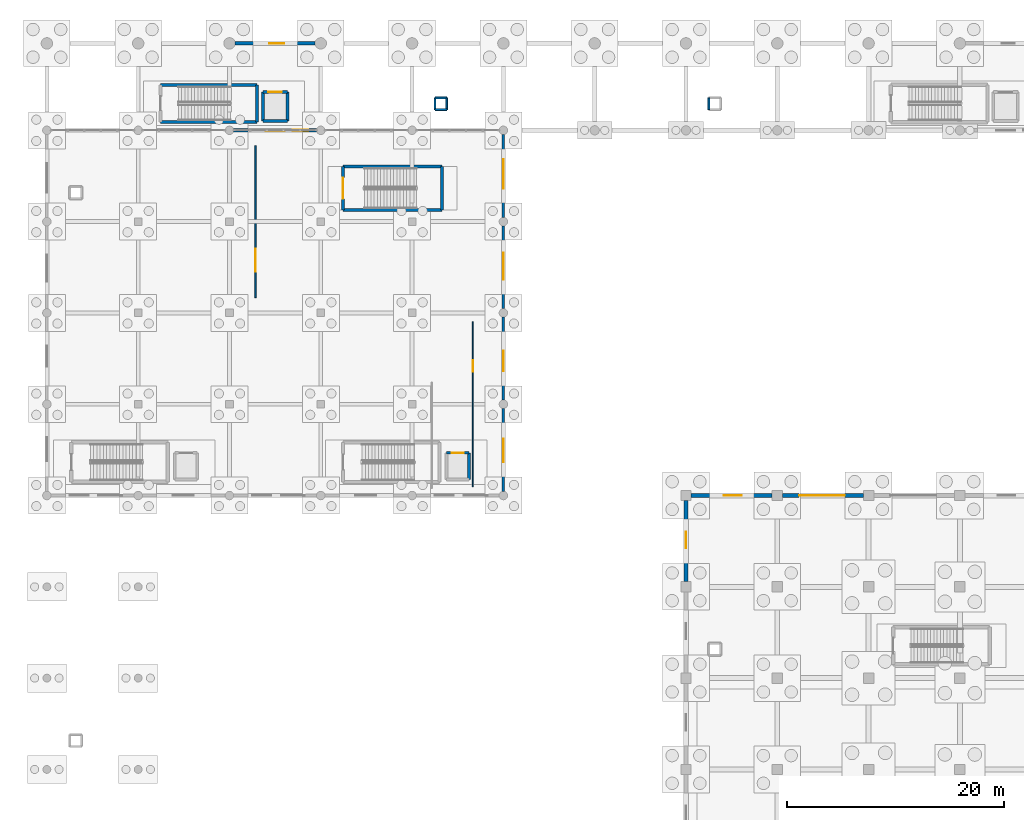
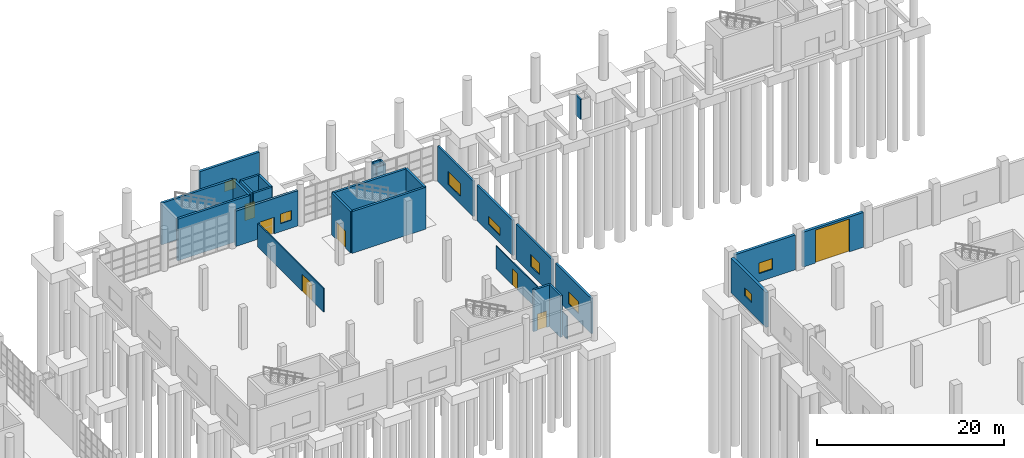
# One storey, part 57 of 83: 29 walls, 8 windows, 7 doors, 15 openings.
"""IFC4 building model written with IfcOpenShell, lengths in metres."""

import ifcopenshell
import ifcopenshell.guid

model = None  # the IFC model being written
_history = None  # IfcOwnerHistory: only IFC2X3 demands one
_inside = {}  # id of a spatial element -> (the spatial element, [elements in it])
_under = {}  # id of a project, library or spatial element -> (it, [spatial elements below it])
_declared = {}  # id of a project -> (the project, [libraries it declares])
_typed = {}  # id of a type object -> (the type object, [elements of that type])
_made_of = {}  # id of a material, layer set ... -> (it, [elements and type objects made of it])


def new_model(schema):
    """Start an empty IFC model of exactly this schema.

    Asked for "IFC4X3", IfcOpenShell would pick the latest addendum, in which some entities
    have other attributes; the version numbers below select the first issue.
    IFC2X3 requires an IfcOwnerHistory on every rooted entity: one is made here for all.
    """
    global model, _history
    if schema == "IFC4X3":
        model = ifcopenshell.file(schema_version=(4, 3, 0, 0))
    else:
        model = ifcopenshell.file(schema=schema)
    _inside.clear()
    _under.clear()
    _declared.clear()
    _typed.clear()
    _made_of.clear()
    _history = None
    if model.schema == "IFC2X3":
        org = make("IfcOrganization", Name="unknown")
        user = make(
            "IfcPersonAndOrganization",
            ThePerson=make("IfcPerson", FamilyName="unknown"),
            TheOrganization=org,
        )
        app = make(
            "IfcApplication",
            ApplicationDeveloper=org,
            Version="unknown",
            ApplicationFullName="unknown",
            ApplicationIdentifier="unknown",
        )
        _history = make(
            "IfcOwnerHistory",
            OwningUser=user,
            OwningApplication=app,
            ChangeAction="ADDED",
            CreationDate=0,
        )
    return model


def make(cls, **values):
    """One entity of the class cls with the attributes given. An attribute that is None is left unset."""
    return model.create_entity(
        cls, **{name: value for name, value in values.items() if value is not None}
    )


def rooted(cls, **values):
    """An entity with a GlobalId (a new one), such as an element, a storey or a relation."""
    return make(cls, GlobalId=ifcopenshell.guid.new(), OwnerHistory=_history, **values)


def si_unit(unit_type, name, prefix=None):
    """IfcSIUnit, for example si_unit("LENGTHUNIT", "METRE", prefix="MILLI")."""
    return make("IfcSIUnit", UnitType=unit_type, Prefix=prefix, Name=name)


def assignment(units):
    """IfcUnitAssignment: the units of a project."""
    return None if units is None else make("IfcUnitAssignment", Units=units)


def point(xyz):
    """IfcCartesianPoint."""
    return None if xyz is None else make("IfcCartesianPoint", Coordinates=xyz)


def direction(xyz):
    """IfcDirection."""
    return None if xyz is None else make("IfcDirection", DirectionRatios=xyz)


def frame(location, z_axis=None, x_axis=None):
    """IfcAxis2Placement3D, a coordinate frame: its origin and axes. An axis left out is left unset."""
    return make(
        "IfcAxis2Placement3D",
        Location=point(location),
        Axis=direction(z_axis),
        RefDirection=direction(x_axis),
    )


def frame_2d(location, x_axis=None):
    """IfcAxis2Placement2D, a coordinate frame in the plane: its origin and x axis."""
    return make(
        "IfcAxis2Placement2D", Location=point(location), RefDirection=direction(x_axis)
    )


def origin():
    """The frame at (0, 0, 0) with its axes left unset."""
    return frame((0.0, 0.0, 0.0))


def place(relative_to, where):
    """IfcLocalPlacement: puts the frame where relative to a parent placement (None: the world)."""
    return make(
        "IfcLocalPlacement", PlacementRelTo=relative_to, RelativePlacement=where
    )


def context(
    kind, dimensions, precision=None, world=None, true_north=None, identifier=None
):
    """IfcGeometricRepresentationContext, for example the 3D "Model" context."""
    return make(
        "IfcGeometricRepresentationContext",
        ContextIdentifier=identifier,
        ContextType=kind,
        CoordinateSpaceDimension=dimensions,
        Precision=precision,
        WorldCoordinateSystem=world,
        TrueNorth=true_north,
    )


def subcontext(parent, identifier, kind, view, scale=None):
    """IfcGeometricRepresentationSubContext, for example "Body" below "Model"."""
    return make(
        "IfcGeometricRepresentationSubContext",
        ContextIdentifier=identifier,
        ContextType=kind,
        ParentContext=parent,
        TargetScale=scale,
        TargetView=view,
    )


def project(units=None, contexts=None):
    """IfcProject with its units and contexts."""
    return rooted(
        "IfcProject",
        Name="project",
        RepresentationContexts=contexts,
        UnitsInContext=assignment(units),
    )


def spatial(cls, under=None, at=None, **own):
    """A site, building, storey or space (cls), placed at a placement, below another one or the project."""
    s = rooted(cls, ObjectPlacement=at, **own)
    if under is not None:
        _under.setdefault(under.id(), (under, []))[1].append(s)
    return s


def profile(cls, at=None, kind="AREA", **sizes):
    """A parametric profile (cls). Its sizes go by their IFC names, for example OverallWidth=200.0."""
    return make(cls, ProfileType=kind, Position=at, **sizes)


def rectangle(**sizes):
    """IfcRectangleProfileDef."""
    return profile("IfcRectangleProfileDef", **sizes)


def extrude(swept, where, along, depth):
    """IfcExtrudedAreaSolid: the profile swept, set in the frame where, extruded along a direction by depth."""
    return make(
        "IfcExtrudedAreaSolid",
        SweptArea=swept,
        Position=where,
        ExtrudedDirection=direction(along),
        Depth=depth,
    )


def shape(context_of_items, identifier, shape_type, items):
    """IfcShapeRepresentation: the items that make up one representation, for example the "Body"."""
    return make(
        "IfcShapeRepresentation",
        ContextOfItems=context_of_items,
        RepresentationIdentifier=identifier,
        RepresentationType=shape_type,
        Items=items,
    )


def material(Name=None, Category=None):
    """IfcMaterial."""
    return make("IfcMaterial", Name=Name, Category=Category)


def layer(
    of_material, thickness, ventilated=None, Name=None, Category=None, Priority=None
):
    """IfcMaterialLayer: one layer of a wall or slab, of a material (None: an air gap)."""
    return make(
        "IfcMaterialLayer",
        Material=of_material,
        LayerThickness=thickness,
        IsVentilated=ventilated,
        Name=Name,
        Category=Category,
        Priority=Priority,
    )


def layer_set(layers, Name=None):
    """IfcMaterialLayerSet."""
    return make("IfcMaterialLayerSet", MaterialLayers=layers, LayerSetName=Name)


def made_of(thing, what):
    """Note that an element or type object is made of a material, layer set ...; save() writes the relation."""
    if what is not None:
        _made_of.setdefault(what.id(), (what, []))[1].append(thing)
    return thing


def type_object(cls, material=None, **own):
    """A type object (cls), such as IfcWallType, which elements share."""
    return made_of(rooted(cls, **own), material)


def element(
    cls,
    number,
    at=None,
    inside=None,
    cuts=None,
    type_object=None,
    material=None,
    context=None,
    identifier="Body",
    shape_type=None,
    held_by="IfcProductDefinitionShape",
    body=None,
    shapes=None,
    **own,
):
    """One element of the class cls, such as IfcWall. Its Tag is "e" and its number.

    at: its placement. inside: the storey or other place that contains it. cuts: it is an
    opening in that element (IfcRelVoidsElement). A single representation is given by context,
    identifier, shape_type and body (its items); several are given by shapes. held_by: the class
    of the entity that holds the representations. save() writes the other relations.
    """
    e = rooted(cls, Tag="e%d" % number, ObjectPlacement=at, **own)
    if body is not None:
        shapes = [shape(context, identifier, shape_type, body)]
    if shapes is not None:
        e.Representation = make(held_by, Representations=shapes)
    if inside is not None:
        _inside.setdefault(inside.id(), (inside, []))[1].append(e)
    if cuts is not None:
        rooted(
            "IfcRelVoidsElement", RelatingBuildingElement=cuts, RelatedOpeningElement=e
        )
    if type_object is not None:
        _typed.setdefault(type_object.id(), (type_object, []))[1].append(e)
    return made_of(e, material)


def fill(opening, filler):
    """IfcRelFillsElement: the door or window that sits in an opening."""
    return rooted(
        "IfcRelFillsElement",
        RelatingOpeningElement=opening,
        RelatedBuildingElement=filler,
    )


def aggregate(whole, parts):
    """IfcRelAggregates: a whole, such as a stair, and the parts it consists of."""
    return rooted("IfcRelAggregates", RelatingObject=whole, RelatedObjects=parts)


def save(model, path):
    """Write the relations noted so far, then the file.

    IfcRelAggregates (storeys below a building ...), IfcRelContainedInSpatialStructure (elements
    in a storey), IfcRelDefinesByType, IfcRelAssociatesMaterial and IfcRelDeclares: one each for
    every whole, place, type object, material and project.
    """
    for whole, parts in _under.values():
        aggregate(whole, parts)
    for where, things in _inside.values():
        rooted(
            "IfcRelContainedInSpatialStructure",
            RelatedElements=things,
            RelatingStructure=where,
        )
    for kind, things in _typed.values():
        rooted("IfcRelDefinesByType", RelatedObjects=things, RelatingType=kind)
    for what, things in _made_of.values():
        rooted("IfcRelAssociatesMaterial", RelatedObjects=things, RelatingMaterial=what)
    for by, libraries in _declared.values():
        rooted("IfcRelDeclares", RelatingContext=by, RelatedDefinitions=libraries)
    model.write(path)


model = new_model("IFC4")

# Units and contexts
model_context = context("Model", 3, precision=1e-05, world=origin(), true_north=direction((0.0, 1.0)))
body_context = subcontext(model_context, "Body", "Model", "MODEL_VIEW")
ifc_project = project(units=[si_unit("LENGTHUNIT", "METRE"), si_unit("AREAUNIT", "SQUARE_METRE"), si_unit("VOLUMEUNIT", "CUBIC_METRE"), si_unit("PLANEANGLEUNIT", "RADIAN"), si_unit("MASSUNIT", "GRAM", prefix="KILO"), si_unit("THERMODYNAMICTEMPERATUREUNIT", "KELVIN"), si_unit("POWERUNIT", "WATT")], contexts=[model_context])

# Site, building, storey
site_placement = place(None, origin())
site = spatial("IfcSite", under=ifc_project, at=site_placement, CompositionType="ELEMENT")
building_placement = place(site_placement, origin())
building = spatial("IfcBuilding", under=site, at=building_placement, Name="Mavoryth Pier Ferry Terminal", CompositionType="ELEMENT")
storey_placement = place(building_placement, origin())
storey = spatial("IfcBuildingStorey", under=building, at=storey_placement, Name="L00", CompositionType="ELEMENT", Elevation=0.0)

# Wall
ifc_material_1 = material(Name="Concrete C35/45", Category="concrete")
ifc_layer_1 = layer(ifc_material_1, 0.260009765625, Name="Concrete C35/45", Category="concrete")
ifc_layer_set_1 = layer_set([ifc_layer_1], Name="Concrete C35/45 - CoreWall-LiftShaft-RC260")
wall_type_1 = type_object("IfcWallType", Name="CoreWall-LiftShaft-RC260", PredefinedType="SHEAR", material=ifc_layer_set_1)
wall_1_placement = place(storey_placement, frame((89.22998046875, 73.8701171875, 0.0), z_axis=(0.0, 0.0, 1.0), x_axis=(0.0, 1.0, 0.0)))
element("IfcWall", 1, at=wall_1_placement, inside=storey, type_object=wall_type_1, Name="Interior Wall IW-L00-0090", PredefinedType="SHEAR", context=body_context, shape_type="SweptSolid", body=[
    extrude(rectangle(XDim=2.4599609375, YDim=0.260009765625, at=frame_2d((1.22998046875, 0.0))), origin(), (0.0, 0.0, 1.0), 5.43994140625),
])

# Wall, opening, door
wall_2_placement = place(storey_placement, frame((87.169921875, 76.330078125, 0.0), z_axis=(0.0, 0.0, 1.0), x_axis=(1.0, 0.0, 0.0)))
wall_2 = element("IfcWall", 2, at=wall_2_placement, inside=storey, type_object=wall_type_1, Name="Interior Wall IW-L00-0092", PredefinedType="SHEAR", context=body_context, shape_type="SweptSolid", body=[
    extrude(rectangle(XDim=2.06005859375, YDim=0.260009765625, at=frame_2d((1.030029296875, 0.0))), origin(), (0.0, 0.0, 1.0), 5.43994140625),
])
opening_1_placement = place(wall_2_placement, frame((0.4599609375, 0.0, 0.0)))
opening_1 = element("IfcOpeningElement", 3, at=opening_1_placement, cuts=wall_2, Name="Opening LD02", PredefinedType="OPENING", context=body_context, shape_type="SweptSolid", body=[
    extrude(rectangle(XDim=1.139892578125, YDim=2.139892578125, at=frame_2d((0.56982421875, 1.06982421875))), frame((0.0, 0.139892578125, 0.0), z_axis=(0.0, -1.0, 0.0), x_axis=(1.0, 0.0, 0.0)), (0.0, 0.0, 1.0), 0.280029296875),
])
ifc_material_2 = material(Name="Brushed Stainless Steel Lift Landing Door", Category="steel")
door_type_1 = type_object("IfcDoorType", Name="Door-LiftLanding-1140x2140", OperationType="NOTDEFINED", PredefinedType="DOOR", material=ifc_material_2)
door_1_placement = place(opening_1_placement, origin())
door_1 = element("IfcDoor", 4, at=door_1_placement, inside=storey, type_object=door_type_1, Name="Lift LF05 Landing Door L00", OperationType="DOUBLE_DOOR_SLIDING", OverallHeight=2.139892578125, OverallWidth=1.139892578125, PredefinedType="DOOR", context=body_context, shape_type="SweptSolid", body=[
    extrude(rectangle(XDim=1.139892578125, YDim=2.139892578125, at=frame_2d((0.56982421875, 1.06982421875))), frame((0.0, 0.02490234375, 0.0), z_axis=(0.0, -1.0, 0.0), x_axis=(1.0, 0.0, 0.0)), (0.0, 0.0, 1.0), 0.050048828125),
])
fill(opening_1, door_1)

# Walls
wall_3_placement = place(storey_placement, frame((70.27001953125, 106.8701171875, 0.0), z_axis=(0.0, 0.0, 1.0), x_axis=(1.0, 0.0, 0.0)))
element("IfcWall", 5, at=wall_3_placement, inside=storey, type_object=wall_type_1, Name="Interior Wall IW-L00-0109", PredefinedType="SHEAR", context=body_context, shape_type="SweptSolid", body=[
    extrude(rectangle(XDim=2.260009765625, YDim=0.260009765625, at=frame_2d((1.1298828125, 0.0))), origin(), (0.0, 0.0, 1.0), 5.43994140625),
])
for number, where, z_axis, x_axis, name in (
    (6, (72.530029296875, 106.8701171875, 0.0), (0.0, 0.0, 1.0), (0.0, 1.0, 0.0), "Interior Wall IW-L00-0110"),
    (7, (70.27001953125, 109.530029296875, 0.0), (0.0, 0.0, 1.0), (0.0, -1.0, 0.0), "Interior Wall IW-L00-0111"),
):
    element("IfcWall", number, at=place(storey_placement, frame(where, z_axis=z_axis, x_axis=x_axis)), inside=storey, type_object=wall_type_1, Name=name, PredefinedType="SHEAR", context=body_context, shape_type="SweptSolid", body=[
        extrude(rectangle(XDim=2.659912109375, YDim=0.260009765625, at=frame_2d((1.330078125, 0.0))), origin(), (0.0, 0.0, 1.0), 5.43994140625),
    ])

# Wall, opening, door
wall_4_placement = place(storey_placement, frame((70.27001953125, 109.530029296875, 0.0), z_axis=(0.0, 0.0, 1.0), x_axis=(1.0, 0.0, 0.0)))
wall_4 = element("IfcWall", 8, at=wall_4_placement, inside=storey, type_object=wall_type_1, Name="Interior Wall IW-L00-0112", PredefinedType="SHEAR", context=body_context, shape_type="SweptSolid", body=[
    extrude(rectangle(XDim=2.260009765625, YDim=0.260009765625, at=frame_2d((1.1298828125, 0.0))), origin(), (0.0, 0.0, 1.0), 5.43994140625),
])
opening_2_placement = place(wall_4_placement, frame((0.510009765625, 0.0, 0.0)))
opening_2 = element("IfcOpeningElement", 9, at=opening_2_placement, cuts=wall_4, Name="Opening LD01", PredefinedType="OPENING", context=body_context, shape_type="SweptSolid", body=[
    extrude(rectangle(XDim=1.239990234375, YDim=2.139892578125, at=frame_2d((0.6201171875, 1.06982421875))), frame((0.0, 0.139892578125, 0.0), z_axis=(0.0, -1.0, 0.0), x_axis=(1.0, 0.0, 0.0)), (0.0, 0.0, 1.0), 0.280029296875),
])
door_type_2 = type_object("IfcDoorType", Name="Door-LiftLanding-1240x2140", OperationType="NOTDEFINED", PredefinedType="DOOR", material=ifc_material_2)
door_2_placement = place(opening_2_placement, origin())
door_2 = element("IfcDoor", 10, at=door_2_placement, inside=storey, type_object=door_type_2, Name="Lift LF06 Landing Door L00", OperationType="DOUBLE_DOOR_SLIDING", OverallHeight=2.139892578125, OverallWidth=1.239990234375, PredefinedType="DOOR", context=body_context, shape_type="SweptSolid", body=[
    extrude(rectangle(XDim=1.239990234375, YDim=2.139892578125, at=frame_2d((0.6201171875, 1.06982421875))), frame((0.0, 0.02490234375, 0.0), z_axis=(0.0, -1.0, 0.0), x_axis=(1.0, 0.0, 0.0)), (0.0, 0.0, 1.0), 0.050048828125),
])
fill(opening_2, door_2)

# Walls
ifc_material_3 = material(Name="Concrete C40/50", Category="concrete")
ifc_layer_2 = layer(ifc_material_3, 0.280029296875, Name="Concrete C40/50", Category="concrete")
ifc_layer_set_2 = layer_set([ifc_layer_2], Name="Concrete C40/50 - CoreWall-Shear-RC280")
wall_type_2 = type_object("IfcWallType", Name="CoreWall-Shear-RC280", PredefinedType="SHEAR", material=ifc_layer_set_2)
for number, where, z_axis, x_axis, name in (
    (11, (60.860107421875, 106.760009765625, 0.0), (0.0, 0.0, 1.0), (1.0, 0.0, 0.0), "Interior Wall IW-L00-0101"),
    (12, (60.860107421875, 110.18994140625, 0.0), (0.0, 0.0, 1.0), (1.0, 0.0, 0.0), "Interior Wall IW-L00-0102"),
):
    element("IfcWall", number, at=place(storey_placement, frame(where, z_axis=z_axis, x_axis=x_axis)), inside=storey, type_object=wall_type_2, Name=name, PredefinedType="SHEAR", context=body_context, shape_type="SweptSolid", body=[
        extrude(rectangle(XDim=8.8798828125, YDim=0.280029296875, at=frame_2d((4.43994140625, 0.0))), origin(), (0.0, 0.0, 1.0), 5.43994140625),
    ])
wall_5_placement = place(storey_placement, frame((69.739990234375, 106.760009765625, 0.0), z_axis=(0.0, 0.0, 1.0), x_axis=(0.0, 1.0, 0.0)))
element("IfcWall", 13, at=wall_5_placement, inside=storey, type_object=wall_type_2, Name="Interior Wall IW-L00-0104", PredefinedType="SHEAR", context=body_context, shape_type="SweptSolid", body=[
    extrude(rectangle(XDim=3.429931640625, YDim=0.280029296875, at=frame_2d((1.71484375, 0.0))), origin(), (0.0, 0.0, 1.0), 5.43994140625),
])
for number, where, z_axis, x_axis, name in (
    (14, (77.659912109375, 98.659912109375, 0.0), (0.0, 0.0, 1.0), (1.0, 0.0, 0.0), "Interior Wall IW-L00-0305"),
    (15, (77.659912109375, 102.68994140625, 0.0), (0.0, 0.0, 1.0), (1.0, 0.0, 0.0), "Interior Wall IW-L00-0306"),
):
    element("IfcWall", number, at=place(storey_placement, frame(where, z_axis=z_axis, x_axis=x_axis)), inside=storey, type_object=wall_type_2, Name=name, PredefinedType="SHEAR", context=body_context, shape_type="SweptSolid", body=[
        extrude(rectangle(XDim=9.080078125, YDim=0.280029296875, at=frame_2d((4.5400390625, 0.0))), origin(), (0.0, 0.0, 1.0), 5.43994140625),
    ])

# Wall, opening, door
wall_6_placement = place(storey_placement, frame((77.659912109375, 102.68994140625, 0.0), z_axis=(0.0, 0.0, 1.0), x_axis=(0.0, -1.0, 0.0)))
wall_6 = element("IfcWall", 16, at=wall_6_placement, inside=storey, type_object=wall_type_2, Name="Interior Wall IW-L00-0307", PredefinedType="SHEAR", context=body_context, shape_type="SweptSolid", body=[
    extrude(rectangle(XDim=4.030029296875, YDim=0.280029296875, at=frame_2d((2.01513671875, 0.0))), origin(), (0.0, 0.0, 1.0), 5.43994140625),
])
opening_3_placement = place(wall_6_placement, frame((1.034912109375, 0.0, 0.0)))
opening_3 = element("IfcOpeningElement", 17, at=opening_3_placement, cuts=wall_6, Name="Opening ID07-077", PredefinedType="OPENING", context=body_context, shape_type="SweptSolid", body=[
    extrude(rectangle(XDim=1.9599609375, YDim=2.219970703125, at=frame_2d((0.97998046875, 1.10986328125))), frame((0.0, 0.14990234375, 0.0), z_axis=(0.0, -1.0, 0.0), x_axis=(1.0, 0.0, 0.0)), (0.0, 0.0, 1.0), 0.300048828125),
])
ifc_material_4 = material(Name="Fire-Resisting Anodised Aluminium Glazed Door", Category="aluminium")
door_type_3 = type_object("IfcDoorType", Name="Door-ConcourseSlide-1960x2220", OperationType="NOTDEFINED", PredefinedType="DOOR", material=ifc_material_4)
door_3_placement = place(opening_3_placement, origin())
door_3 = element("IfcDoor", 18, at=door_3_placement, inside=storey, type_object=door_type_3, Name="Feature Stair FS3 Concourse Door L00", OperationType="DOUBLE_DOOR_SLIDING", OverallHeight=2.219970703125, OverallWidth=1.9599609375, PredefinedType="DOOR", context=body_context, shape_type="SweptSolid", body=[
    extrude(rectangle(XDim=1.9599609375, YDim=2.219970703125, at=frame_2d((0.97998046875, 1.10986328125))), frame((0.0, 0.02490234375, 0.0), z_axis=(0.0, -1.0, 0.0), x_axis=(1.0, 0.0, 0.0)), (0.0, 0.0, 1.0), 0.050048828125),
])
fill(opening_3, door_3)

# Wall
wall_7_placement = place(storey_placement, frame((86.739990234375, 98.659912109375, 0.0), z_axis=(0.0, 0.0, 1.0), x_axis=(0.0, 1.0, 0.0)))
element("IfcWall", 19, at=wall_7_placement, inside=storey, type_object=wall_type_2, Name="Interior Wall IW-L00-0308", PredefinedType="SHEAR", context=body_context, shape_type="SweptSolid", body=[
    extrude(rectangle(XDim=4.030029296875, YDim=0.280029296875, at=frame_2d((2.01513671875, 0.0))), origin(), (0.0, 0.0, 1.0), 5.43994140625),
])

# Wall, opening, window
ifc_material_5 = material(Name="Insulated Pentelic Limestone-Faced Masonry", Category="masonry")
ifc_layer_3 = layer(ifc_material_5, 0.25, Name="Insulated Pentelic Limestone-Faced Masonry", Category="masonry")
ifc_layer_set_3 = layer_set([ifc_layer_3], Name="Insulated Pentelic Limestone-Faced Masonry - ExtWall-Facade-Masonry250")
wall_type_3 = type_object("IfcWallType", Name="ExtWall-Facade-Masonry250", PredefinedType="SOLIDWALL", material=ifc_layer_set_3)
wall_8_placement = place(storey_placement, frame((92.39990234375, 72.7900390625, 0.0), z_axis=(0.0, 0.0, 1.0), x_axis=(0.0, 1.0, 0.0)))
wall_8 = element("IfcWall", 20, at=wall_8_placement, inside=storey, type_object=wall_type_3, Name="Exterior Wall EW-L00-023", PredefinedType="SOLIDWALL", context=body_context, shape_type="SweptSolid", body=[
    extrude(rectangle(XDim=7.619873046875, YDim=0.25, at=frame_2d((3.81005859375, 0.0))), origin(), (0.0, 0.0, 1.0), 4.60498046875),
])
opening_4_placement = place(wall_8_placement, frame((2.64990234375, 0.0, 1.0)))
opening_4 = element("IfcOpeningElement", 21, at=opening_4_placement, cuts=wall_8, Name="Opening WN11", PredefinedType="OPENING", context=body_context, shape_type="SweptSolid", body=[
    extrude(rectangle(XDim=2.199951171875, YDim=1.550048828125, at=frame_2d((1.10009765625, 0.77490234375))), frame((0.0, 0.135009765625, 0.0), z_axis=(0.0, -1.0, 0.0), x_axis=(1.0, 0.0, 0.0)), (0.0, 0.0, 1.0), 0.27001953125),
])
ifc_material_6 = material(Name="Thermally Broken Aluminium and Low-E Double Glazing", Category="aluminium")
window_type_1 = type_object("IfcWindowType", Name="Win-Arrivals-2200x1550", PartitioningType="DOUBLE_PANEL_VERTICAL", PredefinedType="WINDOW", material=ifc_material_6)
window_1_placement = place(opening_4_placement, origin())
window_1 = element("IfcWindow", 22, at=window_1_placement, inside=storey, type_object=window_type_1, Name="Exterior Window 13", OverallHeight=1.550048828125, OverallWidth=2.199951171875, PartitioningType="DOUBLE_PANEL_VERTICAL", PredefinedType="WINDOW", context=body_context, shape_type="SweptSolid", body=[
    extrude(rectangle(XDim=2.199951171875, YDim=1.550048828125, at=frame_2d((1.10009765625, 0.77490234375))), frame((0.0, 0.030029296875, 0.0), z_axis=(0.0, -1.0, 0.0), x_axis=(1.0, 0.0, 0.0)), (0.0, 0.0, 1.0), 0.06005859375),
])
fill(opening_4, window_1)

wall_9_placement = place(storey_placement, frame((92.39990234375, 81.18994140625, 0.0), z_axis=(0.0, 0.0, 1.0), x_axis=(0.0, 1.0, 0.0)))
wall_9 = element("IfcWall", 23, at=wall_9_placement, inside=storey, type_object=wall_type_3, Name="Exterior Wall EW-L00-025", PredefinedType="SOLIDWALL", context=body_context, shape_type="SweptSolid", body=[
    extrude(rectangle(XDim=7.6201171875, YDim=0.25, at=frame_2d((3.81005859375, 0.0))), origin(), (0.0, 0.0, 1.0), 4.60498046875),
])
opening_5_placement = place(wall_9_placement, frame((2.64990234375, 0.0, 1.0)))
opening_5 = element("IfcOpeningElement", 24, at=opening_5_placement, cuts=wall_9, Name="Opening WN12", PredefinedType="OPENING", context=body_context, shape_type="SweptSolid", body=[
    extrude(rectangle(XDim=1.89990234375, YDim=1.550048828125, at=frame_2d((0.949951171875, 0.77490234375))), frame((0.0, 0.135009765625, 0.0), z_axis=(0.0, -1.0, 0.0), x_axis=(1.0, 0.0, 0.0)), (0.0, 0.0, 1.0), 0.27001953125),
])
window_type_2 = type_object("IfcWindowType", Name="Win-Arrivals-1900x1550", PartitioningType="DOUBLE_PANEL_VERTICAL", PredefinedType="WINDOW", material=ifc_material_6)
window_2_placement = place(opening_5_placement, origin())
window_2 = element("IfcWindow", 25, at=window_2_placement, inside=storey, type_object=window_type_2, Name="Exterior Window 15", OverallHeight=1.550048828125, OverallWidth=1.89990234375, PartitioningType="DOUBLE_PANEL_VERTICAL", PredefinedType="WINDOW", context=body_context, shape_type="SweptSolid", body=[
    extrude(rectangle(XDim=1.89990234375, YDim=1.550048828125, at=frame_2d((0.949951171875, 0.77490234375))), frame((0.0, 0.030029296875, 0.0), z_axis=(0.0, -1.0, 0.0), x_axis=(1.0, 0.0, 0.0)), (0.0, 0.0, 1.0), 0.06005859375),
])
fill(opening_5, window_2)

wall_10_placement = place(storey_placement, frame((92.39990234375, 89.590087890625, 0.0), z_axis=(0.0, 0.0, 1.0), x_axis=(0.0, 1.0, 0.0)))
wall_10 = element("IfcWall", 26, at=wall_10_placement, inside=storey, type_object=wall_type_3, Name="Exterior Wall EW-L00-027", PredefinedType="SOLIDWALL", context=body_context, shape_type="SweptSolid", body=[
    extrude(rectangle(XDim=7.619873046875, YDim=0.25, at=frame_2d((3.81005859375, 0.0))), origin(), (0.0, 0.0, 1.0), 4.60498046875),
])
opening_6_placement = place(wall_10_placement, frame((2.64990234375, 0.0, 1.0)))
opening_6 = element("IfcOpeningElement", 27, at=opening_6_placement, cuts=wall_10, Name="Opening WN16", PredefinedType="OPENING", context=body_context, shape_type="SweptSolid", body=[
    extrude(rectangle(XDim=2.5, YDim=1.050048828125, at=frame_2d((1.25, 0.52490234375))), frame((0.0, 0.135009765625, 0.0), z_axis=(0.0, -1.0, 0.0), x_axis=(1.0, 0.0, 0.0)), (0.0, 0.0, 1.0), 0.27001953125),
])
window_type_3 = type_object("IfcWindowType", Name="Win-Clerestory-2500x1050", PartitioningType="TRIPLE_PANEL_VERTICAL", PredefinedType="WINDOW", material=ifc_material_6)
window_3_placement = place(opening_6_placement, origin())
window_3 = element("IfcWindow", 28, at=window_3_placement, inside=storey, type_object=window_type_3, Name="Exterior Window 17", OverallHeight=1.050048828125, OverallWidth=2.5, PartitioningType="TRIPLE_PANEL_VERTICAL", PredefinedType="WINDOW", context=body_context, shape_type="SweptSolid", body=[
    extrude(rectangle(XDim=2.5, YDim=1.050048828125, at=frame_2d((1.25, 0.52490234375))), frame((0.0, 0.030029296875, 0.0), z_axis=(0.0, -1.0, 0.0), x_axis=(1.0, 0.0, 0.0)), (0.0, 0.0, 1.0), 0.06005859375),
])
fill(opening_6, window_3)

wall_11_placement = place(storey_placement, frame((92.39990234375, 97.989990234375, 0.0), z_axis=(0.0, 0.0, 1.0), x_axis=(0.0, 1.0, 0.0)))
wall_11 = element("IfcWall", 29, at=wall_11_placement, inside=storey, type_object=wall_type_3, Name="Exterior Wall EW-L00-029", PredefinedType="SOLIDWALL", context=body_context, shape_type="SweptSolid", body=[
    extrude(rectangle(XDim=7.6201171875, YDim=0.25, at=frame_2d((3.81005859375, 0.0))), origin(), (0.0, 0.0, 1.0), 4.60498046875),
])
opening_7_placement = place(wall_11_placement, frame((2.64990234375, 0.0, 1.0)))
opening_7 = element("IfcOpeningElement", 30, at=opening_7_placement, cuts=wall_11, Name="Opening WN20", PredefinedType="OPENING", context=body_context, shape_type="SweptSolid", body=[
    extrude(rectangle(XDim=2.699951171875, YDim=1.64990234375, at=frame_2d((1.35009765625, 0.824951171875))), frame((0.0, 0.135009765625, 0.0), z_axis=(0.0, -1.0, 0.0), x_axis=(1.0, 0.0, 0.0)), (0.0, 0.0, 1.0), 0.27001953125),
])
window_type_4 = type_object("IfcWindowType", Name="Win-Community-2700x1650", PartitioningType="TRIPLE_PANEL_VERTICAL", PredefinedType="WINDOW", material=ifc_material_6)
window_4_placement = place(opening_7_placement, origin())
window_4 = element("IfcWindow", 31, at=window_4_placement, inside=storey, type_object=window_type_4, Name="Exterior Window 19", OverallHeight=1.64990234375, OverallWidth=2.699951171875, PartitioningType="TRIPLE_PANEL_VERTICAL", PredefinedType="WINDOW", context=body_context, shape_type="SweptSolid", body=[
    extrude(rectangle(XDim=2.699951171875, YDim=1.64990234375, at=frame_2d((1.35009765625, 0.824951171875))), frame((0.0, 0.030029296875, 0.0), z_axis=(0.0, -1.0, 0.0), x_axis=(1.0, 0.0, 0.0)), (0.0, 0.0, 1.0), 0.06005859375),
])
fill(opening_7, window_4)

# Wall, openings, door, window
ifc_layer_4 = layer(ifc_material_1, 0.31005859375, Name="Concrete C35/45", Category="concrete")
ifc_layer_set_4 = layer_set([ifc_layer_4], Name="Concrete C35/45 - ExtWall-Insul-RC310")
wall_type_4 = type_object("IfcWallType", Name="ExtWall-Insul-RC310", PredefinedType="SOLIDWALL", material=ifc_layer_set_4)
wall_12_placement = place(storey_placement, frame((67.590087890625, 106.0, 0.0), z_axis=(0.0, 0.0, 1.0), x_axis=(1.0, 0.0, 0.0)))
wall_12 = element("IfcWall", 32, at=wall_12_placement, inside=storey, type_object=wall_type_4, Name="Exterior Wall EW-L00-032", PredefinedType="SOLIDWALL", context=body_context, shape_type="SweptSolid", body=[
    extrude(rectangle(XDim=7.619873046875, YDim=0.31005859375, at=frame_2d((3.81005859375, 0.0))), origin(), (0.0, 0.0, 1.0), 4.60498046875),
])
opening_8_placement = place(wall_12_placement, frame((2.949951171875, 0.0, 0.0)))
opening_8 = element("IfcOpeningElement", 33, at=opening_8_placement, cuts=wall_12, Name="Opening ED05-016", PredefinedType="OPENING", context=body_context, shape_type="SweptSolid", body=[
    extrude(rectangle(XDim=1.75, YDim=2.14990234375, at=frame_2d((0.875, 1.074951171875))), frame((0.0, 0.1650390625, 0.0), z_axis=(0.0, -1.0, 0.0), x_axis=(1.0, 0.0, 0.0)), (0.0, 0.0, 1.0), 0.330078125),
])
opening_9_placement = place(wall_12_placement, frame((5.449951171875, 0.0, 1.050048828125)))
opening_9 = element("IfcOpeningElement", 34, at=opening_9_placement, cuts=wall_12, Name="Opening WN13", PredefinedType="OPENING", context=body_context, shape_type="SweptSolid", body=[
    extrude(rectangle(XDim=1.39990234375, YDim=1.25, at=frame_2d((0.699951171875, 0.625))), frame((0.0, 0.1650390625, 0.0), z_axis=(0.0, -1.0, 0.0), x_axis=(1.0, 0.0, 0.0)), (0.0, 0.0, 1.0), 0.330078125),
])
ifc_material_7 = material(Name="Thermally Broken Anodised Aluminium and Laminated Glass", Category="aluminium")
door_type_4 = type_object("IfcDoorType", Name="ExtDoor-ExitDouble-1750x2150", OperationType="NOTDEFINED", PredefinedType="DOOR", material=ifc_material_7)
door_4_placement = place(opening_8_placement, origin())
door_4 = element("IfcDoor", 35, at=door_4_placement, inside=storey, type_object=door_type_4, Name="Exterior Pedestrian Exit Door ED05-016", OperationType="DOUBLE_DOOR_SINGLE_SWING", OverallHeight=2.14990234375, OverallWidth=1.75, PredefinedType="DOOR", context=body_context, shape_type="SweptSolid", body=[
    extrude(rectangle(XDim=1.75, YDim=2.14990234375, at=frame_2d((0.875, 1.074951171875))), frame((0.0, 0.02490234375, 0.0), z_axis=(0.0, -1.0, 0.0), x_axis=(1.0, 0.0, 0.0)), (0.0, 0.0, 1.0), 0.050048828125),
])
fill(opening_8, door_4)
window_type_5 = type_object("IfcWindowType", Name="Win-Lodge-1400x1250", PartitioningType="SINGLE_PANEL", PredefinedType="WINDOW", material=ifc_material_6)
window_5_placement = place(opening_9_placement, origin())
window_5 = element("IfcWindow", 36, at=window_5_placement, inside=storey, type_object=window_type_5, Name="Exterior Window 22", OverallHeight=1.25, OverallWidth=1.39990234375, PartitioningType="SINGLE_PANEL", PredefinedType="WINDOW", context=body_context, shape_type="SweptSolid", body=[
    extrude(rectangle(XDim=1.39990234375, YDim=1.25, at=frame_2d((0.699951171875, 0.625))), frame((0.0, 0.030029296875, 0.0), z_axis=(0.0, -1.0, 0.0), x_axis=(1.0, 0.0, 0.0)), (0.0, 0.0, 1.0), 0.06005859375),
])
fill(opening_9, window_5)

# Wall, opening, window
wall_13_placement = place(storey_placement, frame((75.074951171875, 114.0, 0.0), z_axis=(0.0, 0.0, 1.0), x_axis=(-1.0, 0.0, 0.0)))
wall_13 = element("IfcWall", 37, at=wall_13_placement, inside=storey, type_object=wall_type_4, Name="Exterior Wall EW-L00-033", PredefinedType="SOLIDWALL", context=body_context, shape_type="SweptSolid", body=[
    extrude(rectangle(XDim=7.349853515625, YDim=0.31005859375, at=frame_2d((3.6748046875, 0.0))), origin(), (0.0, 0.0, 1.0), 4.8349609375),
])
opening_10_placement = place(wall_13_placement, frame((2.81494140625, 0.0, 1.050048828125)))
opening_10 = element("IfcOpeningElement", 38, at=opening_10_placement, cuts=wall_13, Name="Opening WN13", PredefinedType="OPENING", context=body_context, shape_type="SweptSolid", body=[
    extrude(rectangle(XDim=1.39990234375, YDim=1.25, at=frame_2d((0.699951171875, 0.625))), frame((0.0, 0.1650390625, 0.0), z_axis=(0.0, -1.0, 0.0), x_axis=(1.0, 0.0, 0.0)), (0.0, 0.0, 1.0), 0.330078125),
])
window_6_placement = place(opening_10_placement, origin())
window_6 = element("IfcWindow", 39, at=window_6_placement, inside=storey, type_object=window_type_5, Name="Exterior Window 23", OverallHeight=1.25, OverallWidth=1.39990234375, PartitioningType="SINGLE_PANEL", PredefinedType="WINDOW", context=body_context, shape_type="SweptSolid", body=[
    extrude(rectangle(XDim=1.39990234375, YDim=1.25, at=frame_2d((0.699951171875, 0.625))), frame((0.0, 0.030029296875, 0.0), z_axis=(0.0, -1.0, 0.0), x_axis=(1.0, 0.0, 0.0)), (0.0, 0.0, 1.0), 0.06005859375),
])
fill(opening_10, window_6)

ifc_layer_5 = layer(ifc_material_1, 0.340087890625, Name="Concrete C35/45", Category="concrete")
ifc_layer_set_5 = layer_set([ifc_layer_5], Name="Concrete C35/45 - ExtWall-Plinth-RC340")
wall_type_5 = type_object("IfcWallType", Name="ExtWall-Plinth-RC340", PredefinedType="SOLIDWALL", material=ifc_layer_set_5)
wall_14_placement = place(storey_placement, frame((117.125, 72.39990234375, 0.0), z_axis=(0.0, 0.0, 1.0), x_axis=(-1.0, 0.0, 0.0)))
wall_14 = element("IfcWall", 40, at=wall_14_placement, inside=storey, type_object=wall_type_5, Name="Exterior Wall EW-L00-037", PredefinedType="SOLIDWALL", context=body_context, shape_type="SweptSolid", body=[
    extrude(rectangle(XDim=7.449951171875, YDim=0.340087890625, at=frame_2d((3.72509765625, 0.0))), origin(), (0.0, 0.0, 1.0), 4.544921875),
])
opening_11_placement = place(wall_14_placement, frame((2.81494140625, 0.0, 1.050048828125)))
opening_11 = element("IfcOpeningElement", 41, at=opening_11_placement, cuts=wall_14, Name="Opening WN18", PredefinedType="OPENING", context=body_context, shape_type="SweptSolid", body=[
    extrude(rectangle(XDim=1.64990234375, YDim=1.39990234375, at=frame_2d((0.824951171875, 0.699951171875))), frame((0.0, 0.179931640625, 0.0), z_axis=(0.0, -1.0, 0.0), x_axis=(1.0, 0.0, 0.0)), (0.0, 0.0, 1.0), 0.360107421875),
])
window_type_6 = type_object("IfcWindowType", Name="Win-Drivers-1650x1400", PartitioningType="DOUBLE_PANEL_VERTICAL", PredefinedType="WINDOW", material=ifc_material_6)
window_7_placement = place(opening_11_placement, origin())
window_7 = element("IfcWindow", 42, at=window_7_placement, inside=storey, type_object=window_type_6, Name="Exterior Window 26", OverallHeight=1.39990234375, OverallWidth=1.64990234375, PartitioningType="DOUBLE_PANEL_VERTICAL", PredefinedType="WINDOW", context=body_context, shape_type="SweptSolid", body=[
    extrude(rectangle(XDim=1.64990234375, YDim=1.39990234375, at=frame_2d((0.824951171875, 0.699951171875))), frame((0.0, 0.030029296875, 0.0), z_axis=(0.0, -1.0, 0.0), x_axis=(1.0, 0.0, 0.0)), (0.0, 0.0, 1.0), 0.06005859375),
])
fill(opening_11, window_7)

# Wall, opening, door
wall_15_placement = place(storey_placement, frame((125.52490234375, 72.39990234375, 0.0), z_axis=(0.0, 0.0, 1.0), x_axis=(-1.0, 0.0, 0.0)))
wall_15 = element("IfcWall", 43, at=wall_15_placement, inside=storey, type_object=wall_type_5, Name="Exterior Wall EW-L00-039", PredefinedType="SOLIDWALL", context=body_context, shape_type="SweptSolid", body=[
    extrude(rectangle(XDim=7.449951171875, YDim=0.340087890625, at=frame_2d((3.72509765625, 0.0))), origin(), (0.0, 0.0, 1.0), 4.544921875),
])
opening_12_placement = place(wall_15_placement, frame((1.715087890625, 0.0, 0.0)))
opening_12 = element("IfcOpeningElement", 44, at=opening_12_placement, cuts=wall_15, Name="Opening VG-20", PredefinedType="OPENING", context=body_context, shape_type="SweptSolid", body=[
    extrude(rectangle(XDim=4.199951171875, YDim=4.300048828125, at=frame_2d((2.10009765625, 2.14990234375))), frame((0.0, 0.179931640625, 0.0), z_axis=(0.0, -1.0, 0.0), x_axis=(1.0, 0.0, 0.0)), (0.0, 0.0, 1.0), 0.360107421875),
])
door_type_5 = type_object("IfcDoorType", Name="Gate-VehicleShutter-4200x4300", OperationType="NOTDEFINED", PredefinedType="GATE", material=ifc_material_7)
door_5_placement = place(opening_12_placement, origin())
door_5 = element("IfcDoor", 45, at=door_5_placement, inside=storey, type_object=door_type_5, Name="Vehicle Security Shutter VG-20", OperationType="ROLLINGUP", OverallHeight=4.300048828125, OverallWidth=4.199951171875, PredefinedType="GATE", context=body_context, shape_type="SweptSolid", body=[
    extrude(rectangle(XDim=4.199951171875, YDim=4.300048828125, at=frame_2d((2.10009765625, 2.14990234375))), frame((0.0, 0.02490234375, 0.0), z_axis=(0.0, -1.0, 0.0), x_axis=(1.0, 0.0, 0.0)), (0.0, 0.0, 1.0), 0.050048828125),
])
fill(opening_12, door_5)

# Wall, opening, window
wall_16_placement = place(storey_placement, frame((109.199951171875, 71.925048828125, 0.0), z_axis=(0.0, 0.0, 1.0), x_axis=(0.0, -1.0, 0.0)))
wall_16 = element("IfcWall", 46, at=wall_16_placement, inside=storey, type_object=wall_type_5, Name="Exterior Wall EW-L00-061", PredefinedType="SOLIDWALL", context=body_context, shape_type="SweptSolid", body=[
    extrude(rectangle(XDim=7.449951171875, YDim=0.340087890625, at=frame_2d((3.72509765625, 0.0))), origin(), (0.0, 0.0, 1.0), 4.544921875),
])
opening_13_placement = place(wall_16_placement, frame((2.864990234375, 0.0, 1.35009765625)))
opening_13 = element("IfcOpeningElement", 47, at=opening_13_placement, cuts=wall_16, Name="Opening WN19", PredefinedType="OPENING", context=body_context, shape_type="SweptSolid", body=[
    extrude(rectangle(XDim=1.5, YDim=1.10009765625, at=frame_2d((0.75, 0.550048828125))), frame((0.0, 0.179931640625, 0.0), z_axis=(0.0, -1.0, 0.0), x_axis=(1.0, 0.0, 0.0)), (0.0, 0.0, 1.0), 0.360107421875),
])
window_type_7 = type_object("IfcWindowType", Name="Win-Plant-1500x1100", PartitioningType="SINGLE_PANEL", PredefinedType="WINDOW", material=ifc_material_6)
window_8_placement = place(opening_13_placement, origin())
window_8 = element("IfcWindow", 48, at=window_8_placement, inside=storey, type_object=window_type_7, Name="Exterior Window 45", OverallHeight=1.10009765625, OverallWidth=1.5, PartitioningType="SINGLE_PANEL", PredefinedType="WINDOW", context=body_context, shape_type="SweptSolid", body=[
    extrude(rectangle(XDim=1.5, YDim=1.10009765625, at=frame_2d((0.75, 0.550048828125))), frame((0.0, 0.030029296875, 0.0), z_axis=(0.0, -1.0, 0.0), x_axis=(1.0, 0.0, 0.0)), (0.0, 0.0, 1.0), 0.06005859375),
])
fill(opening_13, window_8)

# Walls
ifc_material_8 = material(Name="Autoclaved Aerated Concrete Blockwork", Category="masonry")
ifc_layer_6 = layer(ifc_material_8, 0.179931640625, Name="Autoclaved Aerated Concrete Blockwork", Category="masonry")
ifc_layer_set_6 = layer_set([ifc_layer_6], Name="Autoclaved Aerated Concrete Blockwork - IntWall-PlantRated-180")
wall_type_6 = type_object("IfcWallType", Name="IntWall-PlantRated-180", PredefinedType="SOLIDWALL", material=ifc_layer_set_6)
wall_17_placement = place(storey_placement, frame((86.110107421875, 107.909912109375, 0.0), z_axis=(0.0, 0.0, 1.0), x_axis=(1.0, 0.0, 0.0)))
element("IfcWall", 49, at=wall_17_placement, inside=storey, type_object=wall_type_6, Name="Interior Wall IW-L00-0361", PredefinedType="SOLIDWALL", context=body_context, shape_type="SweptSolid", body=[
    extrude(rectangle(XDim=1.079833984375, YDim=0.179931640625, at=frame_2d((0.5400390625, 0.0))), origin(), (0.0, 0.0, 1.0), 2.60009765625),
])
wall_18_placement = place(storey_placement, frame((87.18994140625, 107.909912109375, 0.0), z_axis=(0.0, 0.0, 1.0), x_axis=(0.0, 1.0, 0.0)))
element("IfcWall", 50, at=wall_18_placement, inside=storey, type_object=wall_type_6, Name="Interior Wall IW-L00-0362", PredefinedType="SOLIDWALL", context=body_context, shape_type="SweptSolid", body=[
    extrude(rectangle(XDim=1.080078125, YDim=0.179931640625, at=frame_2d((0.5400390625, 0.0))), origin(), (0.0, 0.0, 1.0), 2.60009765625),
])
wall_19_placement = place(storey_placement, frame((87.18994140625, 108.989990234375, 0.0), z_axis=(0.0, 0.0, 1.0), x_axis=(-1.0, 0.0, 0.0)))
element("IfcWall", 51, at=wall_19_placement, inside=storey, type_object=wall_type_6, Name="Interior Wall IW-L00-0363", PredefinedType="SOLIDWALL", context=body_context, shape_type="SweptSolid", body=[
    extrude(rectangle(XDim=1.079833984375, YDim=0.179931640625, at=frame_2d((0.5400390625, 0.0))), origin(), (0.0, 0.0, 1.0), 2.60009765625),
])
for number, where, z_axis, x_axis, name in (
    (52, (86.110107421875, 108.989990234375, 0.0), (0.0, 0.0, 1.0), (0.0, -1.0, 0.0), "Interior Wall IW-L00-0364"),
    (53, (111.31005859375, 108.989990234375, 0.0), (0.0, 0.0, 1.0), (0.0, -1.0, 0.0), "Interior Wall IW-L00-0372"),
):
    element("IfcWall", number, at=place(storey_placement, frame(where, z_axis=z_axis, x_axis=x_axis)), inside=storey, type_object=wall_type_6, Name=name, PredefinedType="SOLIDWALL", context=body_context, shape_type="SweptSolid", body=[
        extrude(rectangle(XDim=1.080078125, YDim=0.179931640625, at=frame_2d((0.5400390625, 0.0))), origin(), (0.0, 0.0, 1.0), 2.60009765625),
    ])

# Wall, opening, door
ifc_material_9 = material(Name="Fire-Rated Gypsum Stud Partition")
ifc_layer_7 = layer(ifc_material_9, 0.139892578125, Name="Fire-Rated Gypsum Stud Partition")
ifc_layer_set_7 = layer_set([ifc_layer_7], Name="Fire-Rated Gypsum Stud Partition - Part-Corridor-140")
wall_type_7 = type_object("IfcWallType", Name="Part-Corridor-140", PredefinedType="PARTITIONING", material=ifc_layer_set_7)
wall_20_placement = place(storey_placement, frame((69.60009765625, 90.60009765625, 0.0), z_axis=(0.0, 0.0, 1.0), x_axis=(0.0, 1.0, 0.0)))
wall_20 = element("IfcWall", 54, at=wall_20_placement, inside=storey, type_object=wall_type_7, Name="Interior Wall IW-L00-0424", PredefinedType="PARTITIONING", context=body_context, shape_type="SweptSolid", body=[
    extrude(rectangle(XDim=14.0, YDim=0.139892578125, at=frame_2d((7.0, 0.0))), origin(), (0.0, 0.0, 1.0), 3.10009765625),
])
opening_14_placement = place(wall_20_placement, frame((2.39990234375, 0.0, 0.0)))
opening_14 = element("IfcOpeningElement", 55, at=opening_14_placement, cuts=wall_20, Name="Opening ID06-092", PredefinedType="OPENING", context=body_context, shape_type="SweptSolid", body=[
    extrude(rectangle(XDim=2.10009765625, YDim=2.219970703125, at=frame_2d((1.050048828125, 1.10986328125))), frame((0.0, 0.079833984375, 0.0), z_axis=(0.0, -1.0, 0.0), x_axis=(1.0, 0.0, 0.0)), (0.0, 0.0, 1.0), 0.159912109375),
])
door_type_6 = type_object("IfcDoorType", Name="Door-ConcourseSlide-2100x2220", OperationType="NOTDEFINED", PredefinedType="DOOR", material=ifc_material_4)
door_6_placement = place(opening_14_placement, origin())
door_6 = element("IfcDoor", 56, at=door_6_placement, inside=storey, type_object=door_type_6, Name="Interior Door ID06-092", OperationType="DOUBLE_DOOR_SLIDING", OverallHeight=2.219970703125, OverallWidth=2.10009765625, PredefinedType="DOOR", context=body_context, shape_type="SweptSolid", body=[
    extrude(rectangle(XDim=2.10009765625, YDim=2.219970703125, at=frame_2d((1.050048828125, 1.10986328125))), frame((0.0, 0.02490234375, 0.0), z_axis=(0.0, -1.0, 0.0), x_axis=(1.0, 0.0, 0.0)), (0.0, 0.0, 1.0), 0.050048828125),
])
fill(opening_14, door_6)

ifc_material_10 = material(Name="Moisture-Resistant Cement-Board Partition")
ifc_layer_8 = layer(ifc_material_10, 0.10009765625, Name="Moisture-Resistant Cement-Board Partition")
ifc_layer_set_8 = layer_set([ifc_layer_8], Name="Moisture-Resistant Cement-Board Partition - Part-WetArea-100")
wall_type_8 = type_object("IfcWallType", Name="Part-WetArea-100", PredefinedType="PARTITIONING", material=ifc_layer_set_8)
wall_21_placement = place(storey_placement, frame((89.60009765625, 73.199951171875, 0.0), z_axis=(0.0, 0.0, 1.0), x_axis=(0.0, 1.0, 0.0)))
wall_21 = element("IfcWall", 57, at=wall_21_placement, inside=storey, type_object=wall_type_8, Name="Interior Wall IW-L00-0425", PredefinedType="PARTITIONING", context=body_context, shape_type="SweptSolid", body=[
    extrude(rectangle(XDim=15.199951171875, YDim=0.10009765625, at=frame_2d((7.60009765625, 0.0))), origin(), (0.0, 0.0, 1.0), 3.0),
])
opening_15_placement = place(wall_21_placement, frame((10.60009765625, 0.0, 0.0)))
opening_15 = element("IfcOpeningElement", 58, at=opening_15_placement, cuts=wall_21, Name="Opening ID11-093", PredefinedType="OPENING", context=body_context, shape_type="SweptSolid", body=[
    extrude(rectangle(XDim=1.06005859375, YDim=2.10009765625, at=frame_2d((0.530029296875, 1.050048828125))), frame((0.0, 0.06005859375, 0.0), z_axis=(0.0, -1.0, 0.0), x_axis=(1.0, 0.0, 0.0)), (0.0, 0.0, 1.0), 0.1201171875),
])
ifc_material_11 = material(Name="High-Pressure Laminate Accessible Door")
door_type_7 = type_object("IfcDoorType", Name="Door-AccessibleWC-1060x2100", OperationType="NOTDEFINED", PredefinedType="DOOR", material=ifc_material_11)
door_7_placement = place(opening_15_placement, origin())
door_7 = element("IfcDoor", 59, at=door_7_placement, inside=storey, type_object=door_type_7, Name="Arrivals Accessible WC Door", OperationType="SINGLE_SWING_RIGHT", OverallHeight=2.10009765625, OverallWidth=1.06005859375, PredefinedType="DOOR", context=body_context, shape_type="SweptSolid", body=[
    extrude(rectangle(XDim=1.06005859375, YDim=2.10009765625, at=frame_2d((0.530029296875, 1.050048828125))), frame((0.0, 0.02490234375, 0.0), z_axis=(0.0, -1.0, 0.0), x_axis=(1.0, 0.0, 0.0)), (0.0, 0.0, 1.0), 0.050048828125),
])
fill(opening_15, door_7)

save(model, "model.ifc")
